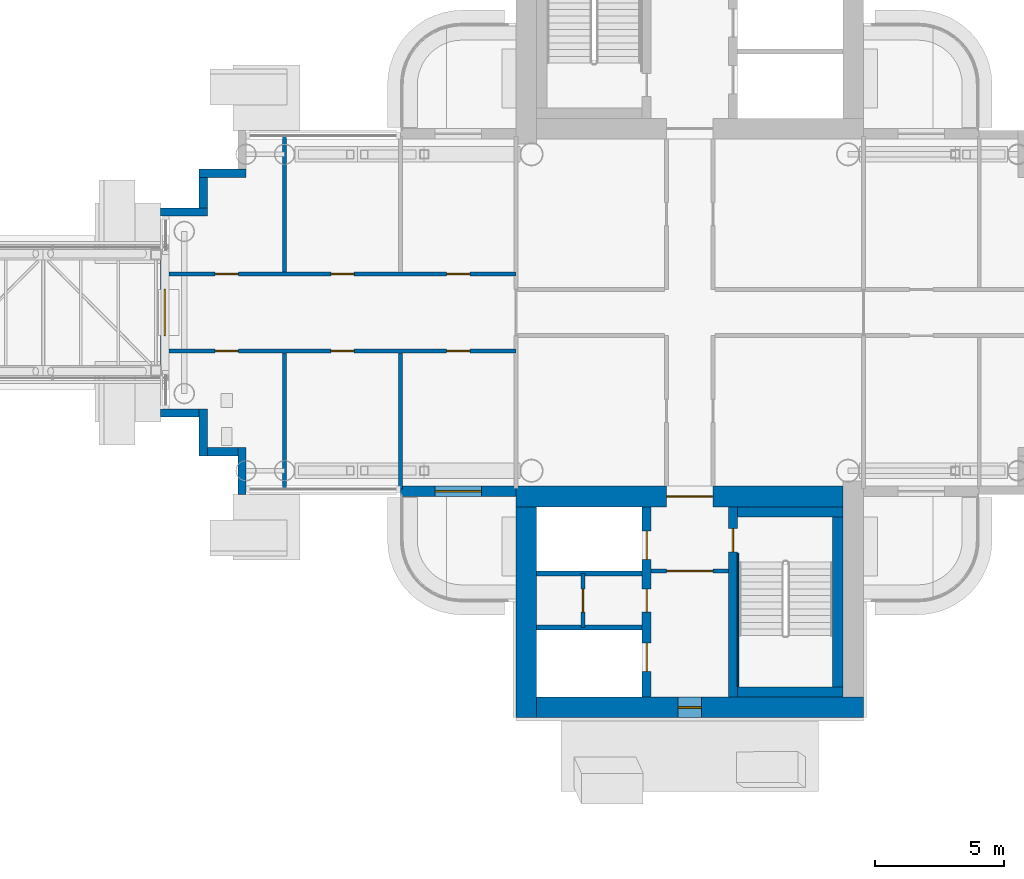
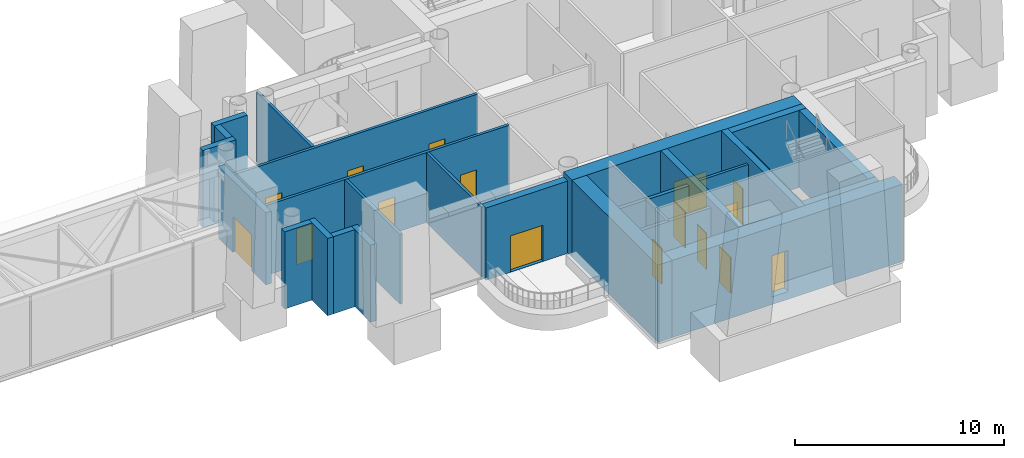
# One storey, part 15 of 26: 27 walls, 15 doors, 1 window, 16 openings.
"""IFC4 building model written with IfcOpenShell, lengths in metres."""

from ifc_helpers import new_model, si_unit, direction, frame, frame_2d, origin, place, context, subcontext, project, spatial, rectangle, extrude, material, layer, layer_set, type_object, element, fill, save


model = new_model("IFC4")

# Units and contexts
model_context = context("Model", 3, precision=1e-05, world=origin(), true_north=direction((0.0, 1.0)))
body_context = subcontext(model_context, "Body", "Model", "MODEL_VIEW")
ifc_project = project(units=[si_unit("LENGTHUNIT", "METRE"), si_unit("AREAUNIT", "SQUARE_METRE"), si_unit("VOLUMEUNIT", "CUBIC_METRE"), si_unit("PLANEANGLEUNIT", "RADIAN"), si_unit("MASSUNIT", "GRAM", prefix="KILO")], contexts=[model_context])

# Site, building, storey
site_placement = place(None, origin())
site = spatial("IfcSite", under=ifc_project, at=site_placement, CompositionType="ELEMENT")
building_placement = place(site_placement, origin())
building = spatial("IfcBuilding", under=site, at=building_placement, Name="Ipe Terrace Towers", CompositionType="ELEMENT")
storey_placement = place(building_placement, frame((0.0, 0.0, 181.300048828125)))
storey = spatial("IfcBuildingStorey", under=building, at=storey_placement, Name="L50", CompositionType="ELEMENT", Elevation=181.300048828125)

# Wall, opening, door
ifc_material_1 = material(Name="Concrete C40/50 with buff precast cladding", Category="concrete")
ifc_layer_1 = layer(ifc_material_1, 0.39990234375)
ifc_layer_set_1 = layer_set([ifc_layer_1], Name="BALCONY BAY WALL 400")
wall_type_1 = type_object("IfcWallType", Name="BALCONY BAY WALL 400", PredefinedType="STANDARD", material=ifc_layer_set_1)
wall_1_placement = place(storey_placement, frame((24.75, -6.949951171875, -0.02001953125), z_axis=(0.0, 0.0, 1.0), x_axis=(1.0, 0.0, 0.0)))
wall_1 = element("IfcWall", 1, at=wall_1_placement, inside=storey, type_object=wall_type_1, Name="T2-W-L50-40a wall", PredefinedType="STANDARD", context=body_context, shape_type="SweptSolid", body=[
    extrude(rectangle(XDim=4.5, YDim=0.39990234375, at=frame_2d((2.25, 0.0))), origin(), (0.0, 0.0, 1.0), 4.219970703125),
])
opening_1_placement = place(wall_1_placement, frame((1.35009765625, 0.0, 0.02001953125)))
opening_1 = element("IfcOpeningElement", 2, at=opening_1_placement, cuts=wall_1, Name="Opening T2-D-L50-40", PredefinedType="OPENING", context=body_context, shape_type="SweptSolid", body=[
    extrude(rectangle(XDim=1.800048828125, YDim=2.10009765625, at=frame_2d((0.89990234375, 1.050048828125))), frame((0.0, 0.2099609375, 0.0), z_axis=(0.0, -1.0, 0.0), x_axis=(1.0, 0.0, 0.0)), (0.0, 0.0, 1.0), 0.419921875),
])
ifc_material_2 = material(Name="Aluminium alloy 6063-T6 framed glazed door", Category="aluminium")
door_type_1 = type_object("IfcDoorType", Name="BALCONY DOOR 1800 x 2100 RIGHT", OperationType="SINGLE_SWING_RIGHT", PredefinedType="DOOR", material=ifc_material_2)
door_1_placement = place(opening_1_placement, origin())
door_1 = element("IfcDoor", 3, at=door_1_placement, inside=storey, type_object=door_type_1, Name="DB2 door", OperationType="SINGLE_SWING_RIGHT", OverallHeight=2.10009765625, OverallWidth=1.800048828125, PredefinedType="DOOR", context=body_context, shape_type="SweptSolid", body=[
    extrude(rectangle(XDim=1.800048828125, YDim=2.10009765625, at=frame_2d((0.89990234375, 1.050048828125))), frame((0.0, 0.02490234375, 0.0), z_axis=(0.0, -1.0, 0.0), x_axis=(1.0, 0.0, 0.0)), (0.0, 0.0, 1.0), 0.050048828125),
])
fill(opening_1, door_1)

# Walls
ifc_material_3 = material(Name="Concrete C40/50 with buff precast cladding", Category="concrete")
ifc_layer_2 = layer(ifc_material_3, 0.320068359375)
ifc_layer_set_2 = layer_set([ifc_layer_2], Name="BUFF CLADDING WALL 320")
wall_type_2 = type_object("IfcWallType", Name="BUFF CLADDING WALL 320", PredefinedType="STANDARD", material=ifc_layer_set_2)
wall_2_placement = place(storey_placement, frame((18.75, 5.409912109375, -0.300048828125), z_axis=(0.0, 0.0, 1.0), x_axis=(-1.0, 0.0, 0.0)))
element("IfcWall", 4, at=wall_2_placement, inside=storey, type_object=wall_type_2, Name="T2-W-L50-31a wall", PredefinedType="STANDARD", context=body_context, shape_type="SweptSolid", body=[
    extrude(rectangle(XDim=1.820068359375, YDim=0.320068359375, at=frame_2d((0.91015625, 0.0))), origin(), (0.0, 0.0, 1.0), 4.5),
])
wall_3_placement = place(storey_placement, frame((17.090087890625, 5.25, -0.300048828125), z_axis=(0.0, 0.0, 1.0), x_axis=(0.0, -1.0, 0.0)))
element("IfcWall", 5, at=wall_3_placement, inside=storey, type_object=wall_type_2, Name="T2-W-L50-32a wall", PredefinedType="STANDARD", context=body_context, shape_type="SweptSolid", body=[
    extrude(rectangle(XDim=1.179931640625, YDim=0.320068359375, at=frame_2d((0.58984375, 0.0))), origin(), (0.0, 0.0, 1.0), 4.5),
])
wall_4_placement = place(storey_placement, frame((17.25, 3.909912109375, -0.300048828125), z_axis=(0.0, 0.0, 1.0), x_axis=(-1.0, 0.0, 0.0)))
element("IfcWall", 6, at=wall_4_placement, inside=storey, type_object=wall_type_2, Name="T2-W-L50-33a wall", PredefinedType="STANDARD", context=body_context, shape_type="SweptSolid", body=[
    extrude(rectangle(XDim=1.820068359375, YDim=0.320068359375, at=frame_2d((0.91015625, 0.0))), origin(), (0.0, 0.0, 1.0), 4.5),
])

# Wall, opening, door
wall_5_placement = place(storey_placement, frame((15.590087890625, 2.25, 0.0), z_axis=(0.0, 0.0, 1.0), x_axis=(0.0, -1.0, 0.0)))
wall_5 = element("IfcWall", 7, at=wall_5_placement, inside=storey, type_object=wall_type_2, Name="T2-W-L50-34b wall", PredefinedType="STANDARD", context=body_context, shape_type="SweptSolid", body=[
    extrude(rectangle(XDim=4.5, YDim=0.320068359375, at=frame_2d((2.25, 0.0))), origin(), (0.0, 0.0, 1.0), 4.199951171875),
])
opening_2_placement = place(wall_5_placement, frame((1.35009765625, 0.0, 0.0)))
opening_2 = element("IfcOpeningElement", 8, at=opening_2_placement, cuts=wall_5, Name="Opening T2-D-L50-34", PredefinedType="OPENING", context=body_context, shape_type="SweptSolid", body=[
    extrude(rectangle(XDim=1.800048828125, YDim=2.10009765625, at=frame_2d((0.89990234375, 1.050048828125))), frame((0.0, 0.169921875, 0.0), z_axis=(0.0, -1.0, 0.0), x_axis=(1.0, 0.0, 0.0)), (0.0, 0.0, 1.0), 0.340087890625),
])
ifc_material_4 = material(Name="Steel S235 fire door", Category="steel")
door_type_2 = type_object("IfcDoorType", Name="BRIDGE FIRE DOOR 1800 x 2100", OperationType="DOUBLE_DOOR_SINGLE_SWING", PredefinedType="DOOR", material=ifc_material_4)
door_2_placement = place(opening_2_placement, origin())
door_2 = element("IfcDoor", 9, at=door_2_placement, inside=storey, type_object=door_type_2, Name="DF1 door", OperationType="DOUBLE_DOOR_SINGLE_SWING", OverallHeight=2.10009765625, OverallWidth=1.800048828125, PredefinedType="DOOR", context=body_context, shape_type="SweptSolid", body=[
    extrude(rectangle(XDim=1.800048828125, YDim=2.10009765625, at=frame_2d((0.89990234375, 1.050048828125))), frame((0.0, 0.02490234375, 0.0), z_axis=(0.0, -1.0, 0.0), x_axis=(1.0, 0.0, 0.0)), (0.0, 0.0, 1.0), 0.050048828125),
])
fill(opening_2, door_2)

# Walls
wall_6_placement = place(storey_placement, frame((15.429931640625, -3.909912109375, -0.300048828125), z_axis=(0.0, 0.0, 1.0), x_axis=(1.0, 0.0, 0.0)))
element("IfcWall", 10, at=wall_6_placement, inside=storey, type_object=wall_type_2, Name="T2-W-L50-35a wall", PredefinedType="STANDARD", context=body_context, shape_type="SweptSolid", body=[
    extrude(rectangle(XDim=1.5, YDim=0.320068359375, at=frame_2d((0.75, 0.0))), origin(), (0.0, 0.0, 1.0), 4.5),
])
wall_7_placement = place(storey_placement, frame((17.090087890625, -3.75, -0.300048828125), z_axis=(0.0, 0.0, 1.0), x_axis=(0.0, -1.0, 0.0)))
element("IfcWall", 11, at=wall_7_placement, inside=storey, type_object=wall_type_2, Name="T2-W-L50-36a wall", PredefinedType="STANDARD", context=body_context, shape_type="SweptSolid", body=[
    extrude(rectangle(XDim=1.820068359375, YDim=0.320068359375, at=frame_2d((0.91015625, 0.0))), origin(), (0.0, 0.0, 1.0), 4.5),
])
wall_8_placement = place(storey_placement, frame((17.25, -5.409912109375, -0.300048828125), z_axis=(0.0, 0.0, 1.0), x_axis=(1.0, 0.0, 0.0)))
element("IfcWall", 12, at=wall_8_placement, inside=storey, type_object=wall_type_2, Name="T2-W-L50-37a wall", PredefinedType="STANDARD", context=body_context, shape_type="SweptSolid", body=[
    extrude(rectangle(XDim=1.179931640625, YDim=0.320068359375, at=frame_2d((0.58984375, 0.0))), origin(), (0.0, 0.0, 1.0), 4.5),
])
wall_9_placement = place(storey_placement, frame((18.590087890625, -5.25, -0.300048828125), z_axis=(0.0, 0.0, 1.0), x_axis=(0.0, -1.0, 0.0)))
element("IfcWall", 13, at=wall_9_placement, inside=storey, type_object=wall_type_2, Name="T2-W-L50-38a wall", PredefinedType="STANDARD", context=body_context, shape_type="SweptSolid", body=[
    extrude(rectangle(XDim=1.820068359375, YDim=0.320068359375, at=frame_2d((0.91015625, 0.0))), origin(), (0.0, 0.0, 1.0), 4.5),
])

# Wall, opening, door
ifc_material_5 = material(Name="Gypsum board partition", Category="plasterboard")
ifc_layer_3 = layer(ifc_material_5, 0.14990234375)
ifc_layer_set_3 = layer_set([ifc_layer_3], Name="Gypsum board partition 150 mm")
wall_type_3 = type_object("IfcWallType", Name="Gypsum board partition 150 mm", PredefinedType="PARTITIONING", material=ifc_layer_set_3)
wall_10_placement = place(storey_placement, frame((34.5, -10.050048828125, 0.0), z_axis=(0.0, 0.0, 1.0), x_axis=(1.0, 0.0, 0.0)))
wall_10 = element("IfcWall", 14, at=wall_10_placement, inside=storey, type_object=wall_type_3, Name="Gypsum board partition T2 L50 t2c2-lobby-wall", PredefinedType="PARTITIONING", context=body_context, shape_type="SweptSolid", body=[
    extrude(rectangle(XDim=3.0, YDim=0.14990234375, at=frame_2d((1.5, 0.0))), origin(), (0.0, 0.0, 1.0), 4.079833984375),
])
opening_3_placement = place(wall_10_placement, frame((0.60009765625, 0.0, 0.0)))
opening_3 = element("IfcOpeningElement", 15, at=opening_3_placement, cuts=wall_10, Name="Opening T2C2-VD", PredefinedType="OPENING", context=body_context, shape_type="SweptSolid", body=[
    extrude(rectangle(XDim=1.800048828125, YDim=2.10009765625, at=frame_2d((0.89990234375, 1.050048828125))), frame((0.0, 0.0849609375, 0.0), z_axis=(0.0, -1.0, 0.0), x_axis=(1.0, 0.0, 0.0)), (0.0, 0.0, 1.0), 0.169921875),
])
ifc_material_6 = material(Name="Fire-rated timber door leaf", Category="wood")
door_type_3 = type_object("IfcDoorType", Name="Lobby door 1800 x 2100 FD60", OperationType="NOTDEFINED", PredefinedType="DOOR", material=ifc_material_6)
door_3_placement = place(opening_3_placement, origin())
door_3 = element("IfcDoor", 16, at=door_3_placement, inside=storey, type_object=door_type_3, Name="Lobby door T2C2-VD", OperationType="SINGLE_SWING_LEFT", OverallHeight=2.10009765625, OverallWidth=1.800048828125, PredefinedType="DOOR", context=body_context, shape_type="SweptSolid", body=[
    extrude(rectangle(XDim=1.800048828125, YDim=2.10009765625, at=frame_2d((0.89990234375, 1.050048828125))), frame((0.0, 0.02490234375, 0.0), z_axis=(0.0, -1.0, 0.0), x_axis=(1.0, 0.0, 0.0)), (0.0, 0.0, 1.0), 0.050048828125),
])
fill(opening_3, door_3)

wall_11_placement = place(storey_placement, frame((31.85009765625, -10.14990234375, 0.0), z_axis=(0.0, 0.0, 1.0), x_axis=(0.0, -1.0, 0.0)))
wall_11 = element("IfcWall", 17, at=wall_11_placement, inside=storey, type_object=wall_type_3, Name="Gypsum board partition T2 L50 t2c2-q-back", PredefinedType="PARTITIONING", context=body_context, shape_type="SweptSolid", body=[
    extrude(rectangle(XDim=2.10009765625, YDim=0.14990234375, at=frame_2d((1.050048828125, 0.0))), origin(), (0.0, 0.0, 1.0), 4.079833984375),
])
opening_4_placement = place(wall_11_placement, frame((0.60009765625, 0.0, 0.0)))
opening_4 = element("IfcOpeningElement", 18, at=opening_4_placement, cuts=wall_11, Name="Opening T2C2-RB", PredefinedType="OPENING", context=body_context, shape_type="SweptSolid", body=[
    extrude(rectangle(XDim=0.89990234375, YDim=2.10009765625, at=frame_2d((0.449951171875, 1.050048828125))), frame((0.0, 0.0849609375, 0.0), z_axis=(0.0, -1.0, 0.0), x_axis=(1.0, 0.0, 0.0)), (0.0, 0.0, 1.0), 0.169921875),
])
ifc_material_7 = material(Name="Fire-rated timber door leaf", Category="wood")
door_type_4 = type_object("IfcDoorType", Name="Service door 900 x 2100 FD60", OperationType="NOTDEFINED", PredefinedType="DOOR", material=ifc_material_7)
door_4_placement = place(opening_4_placement, origin())
door_4 = element("IfcDoor", 19, at=door_4_placement, inside=storey, type_object=door_type_4, Name="Service door T2C2-RB", OperationType="SINGLE_SWING_LEFT", OverallHeight=2.10009765625, OverallWidth=0.89990234375, PredefinedType="DOOR", context=body_context, shape_type="SweptSolid", body=[
    extrude(rectangle(XDim=0.89990234375, YDim=2.10009765625, at=frame_2d((0.449951171875, 1.050048828125))), frame((0.0, 0.02490234375, 0.0), z_axis=(0.0, -1.0, 0.0), x_axis=(1.0, 0.0, 0.0)), (0.0, 0.0, 1.0), 0.050048828125),
])
fill(opening_4, door_4)

# Wall, openings, doors
wall_12_placement = place(storey_placement, frame((29.25, 1.5, 0.0), z_axis=(0.0, 0.0, 1.0), x_axis=(-1.0, 0.0, 0.0)))
wall_12 = element("IfcWall", 20, at=wall_12_placement, inside=storey, type_object=wall_type_3, Name="Gypsum board partition T2 L50 sp-Sp-wp", PredefinedType="PARTITIONING", context=body_context, shape_type="SweptSolid", body=[
    extrude(rectangle(XDim=13.60009765625, YDim=0.14990234375, at=frame_2d((6.800048828125, 0.0))), origin(), (0.0, 0.0, 1.0), 4.079833984375),
])
opening_5_placement = place(wall_12_placement, frame((1.800048828125, 0.0, 0.0)))
opening_5 = element("IfcOpeningElement", 21, at=opening_5_placement, cuts=wall_12, Name="Opening T2-SP-PSp1", PredefinedType="OPENING", context=body_context, shape_type="SweptSolid", body=[
    extrude(rectangle(XDim=0.89990234375, YDim=2.10009765625, at=frame_2d((0.449951171875, 1.050048828125))), frame((0.0, 0.0849609375, 0.0), z_axis=(0.0, -1.0, 0.0), x_axis=(1.0, 0.0, 0.0)), (0.0, 0.0, 1.0), 0.169921875),
])
opening_6_placement = place(wall_12_placement, frame((6.300048828125, 0.0, 0.0)))
opening_6 = element("IfcOpeningElement", 22, at=opening_6_placement, cuts=wall_12, Name="Opening T2-SP-PSp2-FD30S", PredefinedType="OPENING", context=body_context, shape_type="SweptSolid", body=[
    extrude(rectangle(XDim=0.89990234375, YDim=2.10009765625, at=frame_2d((0.449951171875, 1.050048828125))), frame((0.0, 0.0849609375, 0.0), z_axis=(0.0, -1.0, 0.0), x_axis=(1.0, 0.0, 0.0)), (0.0, 0.0, 1.0), 0.169921875),
])
opening_7_placement = place(wall_12_placement, frame((10.800048828125, 0.0, 0.0)))
opening_7 = element("IfcOpeningElement", 23, at=opening_7_placement, cuts=wall_12, Name="Opening T2-SP-PSp3", PredefinedType="OPENING", context=body_context, shape_type="SweptSolid", body=[
    extrude(rectangle(XDim=0.89990234375, YDim=2.10009765625, at=frame_2d((0.449951171875, 1.050048828125))), frame((0.0, 0.0849609375, 0.0), z_axis=(0.0, -1.0, 0.0), x_axis=(1.0, 0.0, 0.0)), (0.0, 0.0, 1.0), 0.169921875),
])
ifc_material_8 = material(Name="Fire-rated timber door leaf", Category="wood")
door_type_5 = type_object("IfcDoorType", Name="Lounge door 900 x 2100 FD30S", OperationType="NOTDEFINED", PredefinedType="DOOR", material=ifc_material_8)
door_5_placement = place(opening_5_placement, origin())
door_5 = element("IfcDoor", 24, at=door_5_placement, inside=storey, type_object=door_type_5, Name="Lounge door T2-SP-PSp1", OperationType="SINGLE_SWING_LEFT", OverallHeight=2.10009765625, OverallWidth=0.89990234375, PredefinedType="DOOR", context=body_context, shape_type="SweptSolid", body=[
    extrude(rectangle(XDim=0.89990234375, YDim=2.10009765625, at=frame_2d((0.449951171875, 1.050048828125))), frame((0.0, 0.02490234375, 0.0), z_axis=(0.0, -1.0, 0.0), x_axis=(1.0, 0.0, 0.0)), (0.0, 0.0, 1.0), 0.050048828125),
])
fill(opening_5, door_5)
door_6_placement = place(opening_6_placement, origin())
door_6 = element("IfcDoor", 25, at=door_6_placement, inside=storey, type_object=door_type_5, Name="Lounge door T2-SP-PSp2-FD30S", OperationType="SINGLE_SWING_RIGHT", OverallHeight=2.10009765625, OverallWidth=0.89990234375, PredefinedType="DOOR", context=body_context, shape_type="SweptSolid", body=[
    extrude(rectangle(XDim=0.89990234375, YDim=2.10009765625, at=frame_2d((0.449951171875, 1.050048828125))), frame((0.0, 0.02490234375, 0.0), z_axis=(0.0, -1.0, 0.0), x_axis=(1.0, 0.0, 0.0)), (0.0, 0.0, 1.0), 0.050048828125),
])
fill(opening_6, door_6)
door_7_placement = place(opening_7_placement, origin())
door_7 = element("IfcDoor", 26, at=door_7_placement, inside=storey, type_object=door_type_5, Name="Lounge door T2-SP-PSp3", OperationType="SINGLE_SWING_LEFT", OverallHeight=2.10009765625, OverallWidth=0.89990234375, PredefinedType="DOOR", context=body_context, shape_type="SweptSolid", body=[
    extrude(rectangle(XDim=0.89990234375, YDim=2.10009765625, at=frame_2d((0.449951171875, 1.050048828125))), frame((0.0, 0.02490234375, 0.0), z_axis=(0.0, -1.0, 0.0), x_axis=(1.0, 0.0, 0.0)), (0.0, 0.0, 1.0), 0.050048828125),
])
fill(opening_7, door_7)

# Wall
wall_13_placement = place(storey_placement, frame((20.25, 1.574951171875, 0.0), z_axis=(0.0, 0.0, 1.0), x_axis=(0.0, 1.0, 0.0)))
element("IfcWall", 27, at=wall_13_placement, inside=storey, type_object=wall_type_3, Name="Gypsum board partition T2 L50 sp-Sp-dp2", PredefinedType="PARTITIONING", context=body_context, shape_type="SweptSolid", body=[
    extrude(rectangle(XDim=5.275146484375, YDim=0.14990234375, at=frame_2d((2.6376953125, 0.0))), origin(), (0.0, 0.0, 1.0), 4.079833984375),
])

# Wall, openings, doors
wall_14_placement = place(storey_placement, frame((29.25, -1.5, 0.0), z_axis=(0.0, 0.0, 1.0), x_axis=(-1.0, 0.0, 0.0)))
wall_14 = element("IfcWall", 28, at=wall_14_placement, inside=storey, type_object=wall_type_3, Name="Gypsum board partition T2 L50 sp-Sp-wm", PredefinedType="PARTITIONING", context=body_context, shape_type="SweptSolid", body=[
    extrude(rectangle(XDim=13.60009765625, YDim=0.14990234375, at=frame_2d((6.800048828125, 0.0))), origin(), (0.0, 0.0, 1.0), 4.079833984375),
])
opening_8_placement = place(wall_14_placement, frame((1.800048828125, 0.0, 0.0)))
opening_8 = element("IfcOpeningElement", 29, at=opening_8_placement, cuts=wall_14, Name="Opening T2-SP-MSp1", PredefinedType="OPENING", context=body_context, shape_type="SweptSolid", body=[
    extrude(rectangle(XDim=0.89990234375, YDim=2.10009765625, at=frame_2d((0.449951171875, 1.050048828125))), frame((0.0, 0.0849609375, 0.0), z_axis=(0.0, -1.0, 0.0), x_axis=(1.0, 0.0, 0.0)), (0.0, 0.0, 1.0), 0.169921875),
])
opening_9_placement = place(wall_14_placement, frame((6.300048828125, 0.0, 0.0)))
opening_9 = element("IfcOpeningElement", 30, at=opening_9_placement, cuts=wall_14, Name="Opening T2-SP-MSp2", PredefinedType="OPENING", context=body_context, shape_type="SweptSolid", body=[
    extrude(rectangle(XDim=0.89990234375, YDim=2.10009765625, at=frame_2d((0.449951171875, 1.050048828125))), frame((0.0, 0.0849609375, 0.0), z_axis=(0.0, -1.0, 0.0), x_axis=(1.0, 0.0, 0.0)), (0.0, 0.0, 1.0), 0.169921875),
])
opening_10_placement = place(wall_14_placement, frame((10.800048828125, 0.0, 0.0)))
opening_10 = element("IfcOpeningElement", 31, at=opening_10_placement, cuts=wall_14, Name="Opening T2-SP-MSp3-NR", PredefinedType="OPENING", context=body_context, shape_type="SweptSolid", body=[
    extrude(rectangle(XDim=0.89990234375, YDim=2.10009765625, at=frame_2d((0.449951171875, 1.050048828125))), frame((0.0, 0.0849609375, 0.0), z_axis=(0.0, -1.0, 0.0), x_axis=(1.0, 0.0, 0.0)), (0.0, 0.0, 1.0), 0.169921875),
])
ifc_material_9 = material(Name="Timber door leaf", Category="wood")
door_type_6 = type_object("IfcDoorType", Name="Lounge door 900 x 2100", OperationType="NOTDEFINED", PredefinedType="DOOR", material=ifc_material_9)
door_8_placement = place(opening_10_placement, origin())
door_8 = element("IfcDoor", 32, at=door_8_placement, inside=storey, type_object=door_type_6, Name="Lounge door T2-SP-MSp3-NR", OperationType="SINGLE_SWING_RIGHT", OverallHeight=2.10009765625, OverallWidth=0.89990234375, PredefinedType="DOOR", context=body_context, shape_type="SweptSolid", body=[
    extrude(rectangle(XDim=0.89990234375, YDim=2.10009765625, at=frame_2d((0.449951171875, 1.050048828125))), frame((0.0, 0.02490234375, 0.0), z_axis=(0.0, -1.0, 0.0), x_axis=(1.0, 0.0, 0.0)), (0.0, 0.0, 1.0), 0.050048828125),
])
fill(opening_10, door_8)
door_9_placement = place(opening_8_placement, origin())
door_9 = element("IfcDoor", 33, at=door_9_placement, inside=storey, type_object=door_type_5, Name="Lounge door T2-SP-MSp1", OperationType="SINGLE_SWING_RIGHT", OverallHeight=2.10009765625, OverallWidth=0.89990234375, PredefinedType="DOOR", context=body_context, shape_type="SweptSolid", body=[
    extrude(rectangle(XDim=0.89990234375, YDim=2.10009765625, at=frame_2d((0.449951171875, 1.050048828125))), frame((0.0, 0.02490234375, 0.0), z_axis=(0.0, -1.0, 0.0), x_axis=(1.0, 0.0, 0.0)), (0.0, 0.0, 1.0), 0.050048828125),
])
fill(opening_8, door_9)
door_10_placement = place(opening_9_placement, origin())
door_10 = element("IfcDoor", 34, at=door_10_placement, inside=storey, type_object=door_type_5, Name="Lounge door T2-SP-MSp2", OperationType="SINGLE_SWING_LEFT", OverallHeight=2.10009765625, OverallWidth=0.89990234375, PredefinedType="DOOR", context=body_context, shape_type="SweptSolid", body=[
    extrude(rectangle(XDim=0.89990234375, YDim=2.10009765625, at=frame_2d((0.449951171875, 1.050048828125))), frame((0.0, 0.02490234375, 0.0), z_axis=(0.0, -1.0, 0.0), x_axis=(1.0, 0.0, 0.0)), (0.0, 0.0, 1.0), 0.050048828125),
])
fill(opening_9, door_10)

# Walls
for number, where, z_axis, x_axis, name in (
    (35, (24.75, -1.574951171875, 0.0), (0.0, 0.0, 1.0), (0.0, -1.0, 0.0), "Gypsum board partition T2 L50 sp-Sp-dm1"),
    (36, (20.25, -1.574951171875, 0.0), (0.0, 0.0, 1.0), (0.0, -1.0, 0.0), "Gypsum board partition T2 L50 sp-Sp-dm2"),
):
    element("IfcWall", number, at=place(storey_placement, frame(where, z_axis=z_axis, x_axis=x_axis)), inside=storey, type_object=wall_type_3, Name=name, PredefinedType="PARTITIONING", context=body_context, shape_type="SweptSolid", body=[
        extrude(rectangle(XDim=5.275146484375, YDim=0.14990234375, at=frame_2d((2.6376953125, 0.0))), origin(), (0.0, 0.0, 1.0), 4.079833984375),
    ])
ifc_material_10 = material(Name="Gypsum board party wall", Category="plasterboard")
ifc_layer_4 = layer(ifc_material_10, 0.199951171875)
ifc_layer_set_4 = layer_set([ifc_layer_4], Name="Gypsum board party wall 200 mm")
wall_type_4 = type_object("IfcWallType", Name="Gypsum board party wall 200 mm", PredefinedType="SOLIDWALL", material=ifc_layer_set_4)
for number, where, z_axis, x_axis, name in (
    (37, (30.050048828125, -12.25, 0.0), (0.0, 0.0, 1.0), (1.0, 0.0, 0.0), "Gypsum board party wall T2 L50 t2c2-shaft-div2"),
    (38, (30.050048828125, -10.14990234375, 0.0), (0.0, 0.0, 1.0), (1.0, 0.0, 0.0), "Gypsum board party wall T2 L50 t2c2-shaft-div1"),
):
    element("IfcWall", number, at=place(storey_placement, frame(where, z_axis=z_axis, x_axis=x_axis)), inside=storey, type_object=wall_type_4, Name=name, PredefinedType="SOLIDWALL", context=body_context, shape_type="SweptSolid", body=[
        extrude(rectangle(XDim=4.099853515625, YDim=0.199951171875, at=frame_2d((2.0498046875, 0.0))), origin(), (0.0, 0.0, 1.0), 4.079833984375),
    ])

# Wall, openings, doors
ifc_material_11 = material(Name="Concrete C50/60", Category="concrete")
ifc_layer_5 = layer(ifc_material_11, 0.35009765625)
ifc_layer_set_5 = layer_set([ifc_layer_5], Name="RW350 CORE SPINE WALL 350 C50-60")
wall_type_5 = type_object("IfcWallType", Name="RW350 CORE SPINE WALL 350 C50-60", PredefinedType="SHEAR", material=ifc_layer_set_5)
wall_15_placement = place(storey_placement, frame((34.324951171875, -14.949951171875, 0.0), z_axis=(0.0, 0.0, 1.0), x_axis=(0.0, 1.0, 0.0)))
wall_15 = element("IfcWall", 39, at=wall_15_placement, inside=storey, type_object=wall_type_5, Name="Core spine wall T2-C2-Z3-SW1", PredefinedType="SHEAR", context=body_context, shape_type="SweptSolid", body=[
    extrude(rectangle(XDim=7.39990234375, YDim=0.35009765625, at=frame_2d((3.699951171875, 0.0))), origin(), (0.0, 0.0, 1.0), 4.5),
])
opening_11_placement = place(wall_15_placement, frame((5.35009765625, 0.0, 0.0)))
opening_11 = element("IfcOpeningElement", 40, at=opening_11_placement, cuts=wall_15, Name="Opening T2C2-LD1", PredefinedType="OPENING", context=body_context, shape_type="SweptSolid", body=[
    extrude(rectangle(XDim=1.10009765625, YDim=2.10009765625, at=frame_2d((0.550048828125, 1.050048828125))), frame((0.0, 0.18505859375, 0.0), z_axis=(0.0, -1.0, 0.0), x_axis=(1.0, 0.0, 0.0)), (0.0, 0.0, 1.0), 0.3701171875),
])
opening_12_placement = place(wall_15_placement, frame((1.0, 0.0, 0.0)))
opening_12 = element("IfcOpeningElement", 41, at=opening_12_placement, cuts=wall_15, Name="Opening T2C2-LD3", PredefinedType="OPENING", context=body_context, shape_type="SweptSolid", body=[
    extrude(rectangle(XDim=1.10009765625, YDim=2.10009765625, at=frame_2d((0.550048828125, 1.050048828125))), frame((0.0, 0.18505859375, 0.0), z_axis=(0.0, -1.0, 0.0), x_axis=(1.0, 0.0, 0.0)), (0.0, 0.0, 1.0), 0.3701171875),
])
opening_13_placement = place(wall_15_placement, frame((3.300048828125, 0.0, 0.0)))
opening_13 = element("IfcOpeningElement", 42, at=opening_13_placement, cuts=wall_15, Name="Opening T2C2-R1", PredefinedType="OPENING", context=body_context, shape_type="SweptSolid", body=[
    extrude(rectangle(XDim=0.89990234375, YDim=2.10009765625, at=frame_2d((0.449951171875, 1.050048828125))), frame((0.0, 0.18505859375, 0.0), z_axis=(0.0, -1.0, 0.0), x_axis=(1.0, 0.0, 0.0)), (0.0, 0.0, 1.0), 0.3701171875),
])
ifc_material_12 = material(Name="Fire-rated timber door leaf", Category="wood")
door_type_7 = type_object("IfcDoorType", Name="Sliding door 1100 x 2100 FD60", OperationType="SLIDING_TO_LEFT", PredefinedType="DOOR", material=ifc_material_12)
door_11_placement = place(opening_11_placement, origin())
door_11 = element("IfcDoor", 43, at=door_11_placement, inside=storey, type_object=door_type_7, Name="Sliding door T2C2-LD1", OperationType="SLIDING_TO_LEFT", OverallHeight=2.10009765625, OverallWidth=1.10009765625, PredefinedType="DOOR", context=body_context, shape_type="SweptSolid", body=[
    extrude(rectangle(XDim=1.10009765625, YDim=2.10009765625, at=frame_2d((0.550048828125, 1.050048828125))), frame((0.0, 0.02490234375, 0.0), z_axis=(0.0, -1.0, 0.0), x_axis=(1.0, 0.0, 0.0)), (0.0, 0.0, 1.0), 0.050048828125),
])
fill(opening_11, door_11)
door_12_placement = place(opening_12_placement, origin())
door_12 = element("IfcDoor", 44, at=door_12_placement, inside=storey, type_object=door_type_7, Name="Sliding door T2C2-LD3", OperationType="SLIDING_TO_LEFT", OverallHeight=2.10009765625, OverallWidth=1.10009765625, PredefinedType="DOOR", context=body_context, shape_type="SweptSolid", body=[
    extrude(rectangle(XDim=1.10009765625, YDim=2.10009765625, at=frame_2d((0.550048828125, 1.050048828125))), frame((0.0, 0.02490234375, 0.0), z_axis=(0.0, -1.0, 0.0), x_axis=(1.0, 0.0, 0.0)), (0.0, 0.0, 1.0), 0.050048828125),
])
fill(opening_12, door_12)
ifc_material_13 = material(Name="Timber door leaf", Category="wood")
door_type_8 = type_object("IfcDoorType", Name="Store door 900 x 2100", OperationType="NOTDEFINED", PredefinedType="DOOR", material=ifc_material_13)
door_13_placement = place(opening_13_placement, origin())
door_13 = element("IfcDoor", 45, at=door_13_placement, inside=storey, type_object=door_type_8, Name="Store door T2C2-R1", OperationType="SINGLE_SWING_LEFT", OverallHeight=2.10009765625, OverallWidth=0.89990234375, PredefinedType="DOOR", context=body_context, shape_type="SweptSolid", body=[
    extrude(rectangle(XDim=0.89990234375, YDim=2.10009765625, at=frame_2d((0.449951171875, 1.050048828125))), frame((0.0, 0.02490234375, 0.0), z_axis=(0.0, -1.0, 0.0), x_axis=(1.0, 0.0, 0.0)), (0.0, 0.0, 1.0), 0.050048828125),
])
fill(opening_13, door_13)

# Wall, opening, door
wall_16_placement = place(storey_placement, frame((37.675048828125, -14.949951171875, 0.0), z_axis=(0.0, 0.0, 1.0), x_axis=(0.0, 1.0, 0.0)))
wall_16 = element("IfcWall", 46, at=wall_16_placement, inside=storey, type_object=wall_type_5, Name="Core spine wall T2-C2-Z3-SW2", PredefinedType="SHEAR", context=body_context, shape_type="SweptSolid", body=[
    extrude(rectangle(XDim=7.39990234375, YDim=0.35009765625, at=frame_2d((3.699951171875, 0.0))), origin(), (0.0, 0.0, 1.0), 4.5),
])
opening_14_placement = place(wall_16_placement, frame((5.64990234375, 0.0, 0.0)))
opening_14 = element("IfcOpeningElement", 47, at=opening_14_placement, cuts=wall_16, Name="Opening T2C2-SD", PredefinedType="OPENING", context=body_context, shape_type="SweptSolid", body=[
    extrude(rectangle(XDim=0.89990234375, YDim=2.10009765625, at=frame_2d((0.449951171875, 1.050048828125))), frame((0.0, 0.18505859375, 0.0), z_axis=(0.0, -1.0, 0.0), x_axis=(1.0, 0.0, 0.0)), (0.0, 0.0, 1.0), 0.3701171875),
])
ifc_material_14 = material(Name="Fire-rated timber door leaf", Category="wood")
door_type_9 = type_object("IfcDoorType", Name="Stair door 900 x 2100 FD60", OperationType="NOTDEFINED", PredefinedType="DOOR", material=ifc_material_14)
door_14_placement = place(opening_14_placement, origin())
door_14 = element("IfcDoor", 48, at=door_14_placement, inside=storey, type_object=door_type_9, Name="Stair door T2C2-SD", OperationType="SINGLE_SWING_RIGHT", OverallHeight=2.10009765625, OverallWidth=0.89990234375, PredefinedType="DOOR", context=body_context, shape_type="SweptSolid", body=[
    extrude(rectangle(XDim=0.89990234375, YDim=2.10009765625, at=frame_2d((0.449951171875, 1.050048828125))), frame((0.0, 0.02490234375, 0.0), z_axis=(0.0, -1.0, 0.0), x_axis=(1.0, 0.0, 0.0)), (0.0, 0.0, 1.0), 0.050048828125),
])
fill(opening_14, door_14)

# Walls
ifc_material_15 = material(Name="Concrete C50/60", Category="concrete")
ifc_layer_6 = layer(ifc_material_15, 0.39990234375)
ifc_layer_set_6 = layer_set([ifc_layer_6], Name="RW400 CORE INFILL WALL 400 C50-60")
wall_type_6 = type_object("IfcWallType", Name="RW400 CORE INFILL WALL 400 C50-60", PredefinedType="SHEAR", material=ifc_layer_set_6)
wall_17_placement = place(storey_placement, frame((37.85009765625, -14.75, 0.0), z_axis=(0.0, 0.0, 1.0), x_axis=(1.0, 0.0, 0.0)))
element("IfcWall", 49, at=wall_17_placement, inside=storey, type_object=wall_type_6, Name="Core infill wall T2-C2-far", PredefinedType="SHEAR", context=body_context, shape_type="SweptSolid", body=[
    extrude(rectangle(XDim=4.099853515625, YDim=0.39990234375, at=frame_2d((2.0498046875, 0.0))), origin(), (0.0, 0.0, 1.0), 4.5),
])
wall_18_placement = place(storey_placement, frame((41.75, -7.949951171875, 0.0), z_axis=(0.0, 0.0, 1.0), x_axis=(0.0, -1.0, 0.0)))
element("IfcWall", 50, at=wall_18_placement, inside=storey, type_object=wall_type_6, Name="Core infill wall T2-C2-back", PredefinedType="SHEAR", context=body_context, shape_type="SweptSolid", body=[
    extrude(rectangle(XDim=6.60009765625, YDim=0.39990234375, at=frame_2d((3.300048828125, 0.0))), origin(), (0.0, 0.0, 1.0), 4.5),
])
wall_19_placement = place(storey_placement, frame((37.85009765625, -7.75, 0.0), z_axis=(0.0, 0.0, 1.0), x_axis=(1.0, 0.0, 0.0)))
element("IfcWall", 51, at=wall_19_placement, inside=storey, type_object=wall_type_6, Name="Core infill wall T2-C2-near", PredefinedType="SHEAR", context=body_context, shape_type="SweptSolid", body=[
    extrude(rectangle(XDim=4.099853515625, YDim=0.39990234375, at=frame_2d((2.0498046875, 0.0))), origin(), (0.0, 0.0, 1.0), 4.5),
])
ifc_material_16 = material(Name="Concrete C50/60", Category="concrete")
ifc_layer_7 = layer(ifc_material_16, 0.050048828125)
ifc_layer_set_7 = layer_set([ifc_layer_7], Name="RW50 CORE INFILL WALL 50 C50-60")
wall_type_7 = type_object("IfcWallType", Name="RW50 CORE INFILL WALL 50 C50-60", PredefinedType="SHEAR", material=ifc_layer_set_7)
wall_20_placement = place(storey_placement, frame((37.875, -9.35009765625, 0.0), z_axis=(0.0, 0.0, 1.0), x_axis=(0.0, -1.0, 0.0)))
element("IfcWall", 52, at=wall_20_placement, inside=storey, type_object=wall_type_7, Name="Core infill wall T2-C2-spine-b", PredefinedType="SHEAR", context=body_context, shape_type="SweptSolid", body=[
    extrude(rectangle(XDim=5.199951171875, YDim=0.050048828125, at=frame_2d((2.60009765625, 0.0))), origin(), (0.0, 0.0, 1.0), 4.5),
])

# Wall, opening, window
ifc_material_17 = material(Name="Concrete C50/60", Category="concrete")
ifc_layer_8 = layer(ifc_material_17, 0.800048828125)
ifc_layer_set_8 = layer_set([ifc_layer_8], Name="RW800 CORE WALL 800 C50-60")
wall_type_8 = type_object("IfcWallType", Name="RW800 CORE WALL 800 C50-60", PredefinedType="SHEAR", material=ifc_layer_set_8)
wall_21_placement = place(storey_placement, frame((30.050048828125, -15.35009765625, 0.0), z_axis=(0.0, 0.0, 1.0), x_axis=(1.0, 0.0, 0.0)))
wall_21 = element("IfcWall", 53, at=wall_21_placement, inside=storey, type_object=wall_type_8, Name="Core wall T2-C2-Z3-W01", PredefinedType="SHEAR", context=body_context, shape_type="SweptSolid", body=[
    extrude(rectangle(XDim=12.699951171875, YDim=0.800048828125, at=frame_2d((6.35009765625, 0.0))), origin(), (0.0, 0.0, 1.0), 4.5),
])
opening_15_placement = place(wall_21_placement, frame((5.5, 0.0, 0.449951171875)))
opening_15 = element("IfcOpeningElement", 54, at=opening_15_placement, cuts=wall_21, Name="Opening T2-C2-W-01-L50", PredefinedType="OPENING", context=body_context, shape_type="SweptSolid", body=[
    extrude(rectangle(XDim=0.89990234375, YDim=2.39990234375, at=frame_2d((0.449951171875, 1.199951171875))), frame((0.0, 0.41015625, 0.0), z_axis=(0.0, -1.0, 0.0), x_axis=(1.0, 0.0, 0.0)), (0.0, 0.0, 1.0), 0.820068359375),
])
ifc_material_18 = material(Name="Fire-resistant glazing EI 60", Category="glass")
window_type = type_object("IfcWindowType", Name="CORRIDOR END SLOT WINDOW 900 x 2400 EI 60", PartitioningType="SINGLE_PANEL", PredefinedType="WINDOW", material=ifc_material_18)
window_placement = place(opening_15_placement, origin())
window = element("IfcWindow", 55, at=window_placement, inside=storey, type_object=window_type, Name="W-01 window", OverallHeight=2.39990234375, OverallWidth=0.89990234375, PartitioningType="SINGLE_PANEL", PredefinedType="WINDOW", context=body_context, shape_type="SweptSolid", body=[
    extrude(rectangle(XDim=0.89990234375, YDim=2.39990234375, at=frame_2d((0.449951171875, 1.199951171875))), frame((0.0, 0.030029296875, 0.0), z_axis=(0.0, -1.0, 0.0), x_axis=(1.0, 0.0, 0.0)), (0.0, 0.0, 1.0), 0.06005859375),
])
fill(opening_15, window)

# Wall, opening, door
wall_22_placement = place(storey_placement, frame((41.949951171875, -7.14990234375, 0.0), z_axis=(0.0, 0.0, 1.0), x_axis=(-1.0, 0.0, 0.0)))
wall_22 = element("IfcWall", 56, at=wall_22_placement, inside=storey, type_object=wall_type_8, Name="Core wall T2-C2-Z3-W03", PredefinedType="SHEAR", context=body_context, shape_type="SweptSolid", body=[
    extrude(rectangle(XDim=12.699951171875, YDim=0.800048828125, at=frame_2d((6.35009765625, 0.0))), origin(), (0.0, 0.0, 1.0), 4.5),
])
opening_16_placement = place(wall_22_placement, frame((5.050048828125, 0.0, 0.0)))
opening_16 = element("IfcOpeningElement", 57, at=opening_16_placement, cuts=wall_22, Name="Opening T2C2-ND", PredefinedType="OPENING", context=body_context, shape_type="SweptSolid", body=[
    extrude(rectangle(XDim=1.800048828125, YDim=2.10009765625, at=frame_2d((0.89990234375, 1.050048828125))), frame((0.0, 0.41015625, 0.0), z_axis=(0.0, -1.0, 0.0), x_axis=(1.0, 0.0, 0.0)), (0.0, 0.0, 1.0), 0.820068359375),
])
ifc_material_19 = material(Name="Fire-rated timber door leaf", Category="wood")
door_type_10 = type_object("IfcDoorType", Name="Fire door 1800 x 2100 FD30S", OperationType="NOTDEFINED", PredefinedType="DOOR", material=ifc_material_19)
door_15_placement = place(opening_16_placement, origin())
door_15 = element("IfcDoor", 58, at=door_15_placement, inside=storey, type_object=door_type_10, Name="Fire door T2C2-ND", OperationType="SINGLE_SWING_LEFT", OverallHeight=2.10009765625, OverallWidth=1.800048828125, PredefinedType="DOOR", context=body_context, shape_type="SweptSolid", body=[
    extrude(rectangle(XDim=1.800048828125, YDim=2.10009765625, at=frame_2d((0.89990234375, 1.050048828125))), frame((0.0, 0.02490234375, 0.0), z_axis=(0.0, -1.0, 0.0), x_axis=(1.0, 0.0, 0.0)), (0.0, 0.0, 1.0), 0.050048828125),
])
fill(opening_16, door_15)

# Wall
wall_23_placement = place(storey_placement, frame((29.64990234375, -7.550048828125, 0.0), z_axis=(0.0, 0.0, 1.0), x_axis=(0.0, -1.0, 0.0)))
element("IfcWall", 59, at=wall_23_placement, inside=storey, type_object=wall_type_8, Name="Core wall T2-C2-Z3-W04", PredefinedType="SHEAR", context=body_context, shape_type="SweptSolid", body=[
    extrude(rectangle(XDim=8.199951171875, YDim=0.800048828125, at=frame_2d((4.10009765625, 0.0))), origin(), (0.0, 0.0, 1.0), 4.5),
])

save(model, "model.ifc")
